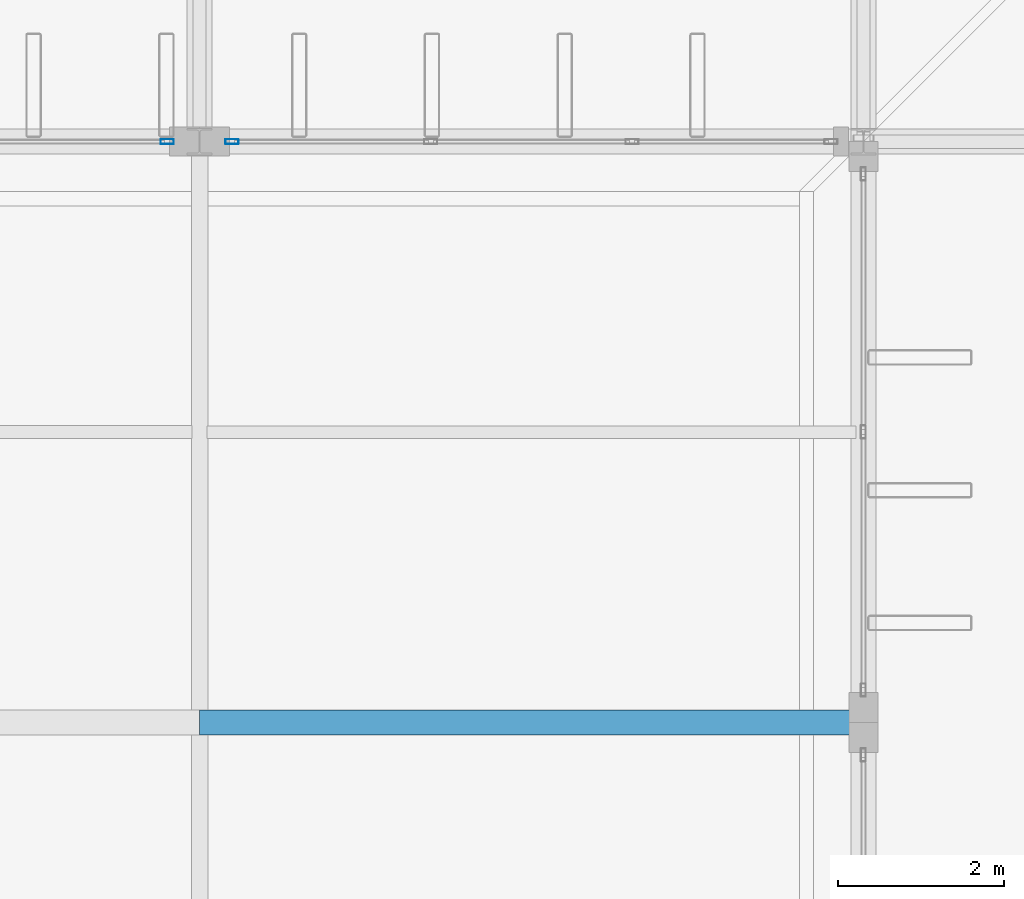
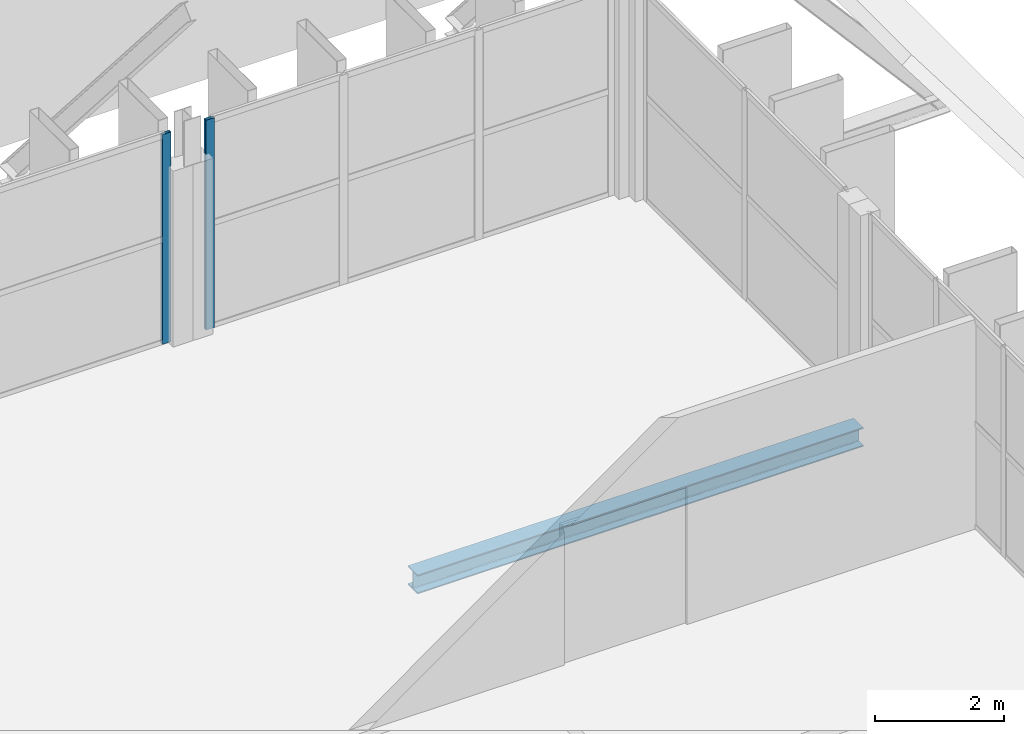
# One storey, part 57 of 93: 2 members, 1 beam, 2 elements without a shape of their own.
"""IFC4 building model written with IfcOpenShell, lengths in metres."""

import ifcopenshell
import ifcopenshell.guid

model = None  # the IFC model being written
_history = None  # IfcOwnerHistory: only IFC2X3 demands one
_inside = {}  # id of a spatial element -> (the spatial element, [elements in it])
_under = {}  # id of a project, library or spatial element -> (it, [spatial elements below it])
_declared = {}  # id of a project -> (the project, [libraries it declares])
_typed = {}  # id of a type object -> (the type object, [elements of that type])
_made_of = {}  # id of a material, layer set ... -> (it, [elements and type objects made of it])


def new_model(schema):
    """Start an empty IFC model of exactly this schema.

    Asked for "IFC4X3", IfcOpenShell would pick the latest addendum, in which some entities
    have other attributes; the version numbers below select the first issue.
    IFC2X3 requires an IfcOwnerHistory on every rooted entity: one is made here for all.
    """
    global model, _history
    if schema == "IFC4X3":
        model = ifcopenshell.file(schema_version=(4, 3, 0, 0))
    else:
        model = ifcopenshell.file(schema=schema)
    _inside.clear()
    _under.clear()
    _declared.clear()
    _typed.clear()
    _made_of.clear()
    _history = None
    if model.schema == "IFC2X3":
        org = make("IfcOrganization", Name="unknown")
        user = make(
            "IfcPersonAndOrganization",
            ThePerson=make("IfcPerson", FamilyName="unknown"),
            TheOrganization=org,
        )
        app = make(
            "IfcApplication",
            ApplicationDeveloper=org,
            Version="unknown",
            ApplicationFullName="unknown",
            ApplicationIdentifier="unknown",
        )
        _history = make(
            "IfcOwnerHistory",
            OwningUser=user,
            OwningApplication=app,
            ChangeAction="ADDED",
            CreationDate=0,
        )
    return model


def make(cls, **values):
    """One entity of the class cls with the attributes given. An attribute that is None is left unset."""
    return model.create_entity(
        cls, **{name: value for name, value in values.items() if value is not None}
    )


def rooted(cls, **values):
    """An entity with a GlobalId (a new one), such as an element, a storey or a relation."""
    return make(cls, GlobalId=ifcopenshell.guid.new(), OwnerHistory=_history, **values)


def si_unit(unit_type, name, prefix=None):
    """IfcSIUnit, for example si_unit("LENGTHUNIT", "METRE", prefix="MILLI")."""
    return make("IfcSIUnit", UnitType=unit_type, Prefix=prefix, Name=name)


def assignment(units):
    """IfcUnitAssignment: the units of a project."""
    return None if units is None else make("IfcUnitAssignment", Units=units)


def point(xyz):
    """IfcCartesianPoint."""
    return None if xyz is None else make("IfcCartesianPoint", Coordinates=xyz)


def direction(xyz):
    """IfcDirection."""
    return None if xyz is None else make("IfcDirection", DirectionRatios=xyz)


def frame(location, z_axis=None, x_axis=None):
    """IfcAxis2Placement3D, a coordinate frame: its origin and axes. An axis left out is left unset."""
    return make(
        "IfcAxis2Placement3D",
        Location=point(location),
        Axis=direction(z_axis),
        RefDirection=direction(x_axis),
    )


def frame_2d(location, x_axis=None):
    """IfcAxis2Placement2D, a coordinate frame in the plane: its origin and x axis."""
    return make(
        "IfcAxis2Placement2D", Location=point(location), RefDirection=direction(x_axis)
    )


def origin():
    """The frame at (0, 0, 0) with its axes left unset."""
    return frame((0.0, 0.0, 0.0))


def origin_2d():
    """The frame at (0, 0) in the plane with its x axis left unset."""
    return frame_2d((0.0, 0.0))


def place(relative_to, where):
    """IfcLocalPlacement: puts the frame where relative to a parent placement (None: the world)."""
    return make(
        "IfcLocalPlacement", PlacementRelTo=relative_to, RelativePlacement=where
    )


def context(
    kind, dimensions, precision=None, world=None, true_north=None, identifier=None
):
    """IfcGeometricRepresentationContext, for example the 3D "Model" context."""
    return make(
        "IfcGeometricRepresentationContext",
        ContextIdentifier=identifier,
        ContextType=kind,
        CoordinateSpaceDimension=dimensions,
        Precision=precision,
        WorldCoordinateSystem=world,
        TrueNorth=true_north,
    )


def subcontext(parent, identifier, kind, view, scale=None):
    """IfcGeometricRepresentationSubContext, for example "Body" below "Model"."""
    return make(
        "IfcGeometricRepresentationSubContext",
        ContextIdentifier=identifier,
        ContextType=kind,
        ParentContext=parent,
        TargetScale=scale,
        TargetView=view,
    )


def project(units=None, contexts=None):
    """IfcProject with its units and contexts."""
    return rooted(
        "IfcProject",
        Name="project",
        RepresentationContexts=contexts,
        UnitsInContext=assignment(units),
    )


def spatial(cls, under=None, at=None, **own):
    """A site, building, storey or space (cls), placed at a placement, below another one or the project."""
    s = rooted(cls, ObjectPlacement=at, **own)
    if under is not None:
        _under.setdefault(under.id(), (under, []))[1].append(s)
    return s


def profile(cls, at=None, kind="AREA", **sizes):
    """A parametric profile (cls). Its sizes go by their IFC names, for example OverallWidth=200.0."""
    return make(cls, ProfileType=kind, Position=at, **sizes)


def hollow_rectangle(**sizes):
    """IfcRectangleHollowProfileDef."""
    return profile("IfcRectangleHollowProfileDef", **sizes)


def i_section(**sizes):
    """IfcIShapeProfileDef."""
    return profile("IfcIShapeProfileDef", **sizes)


def extrude(swept, where, along, depth):
    """IfcExtrudedAreaSolid: the profile swept, set in the frame where, extruded along a direction by depth."""
    return make(
        "IfcExtrudedAreaSolid",
        SweptArea=swept,
        Position=where,
        ExtrudedDirection=direction(along),
        Depth=depth,
    )


def shape(context_of_items, identifier, shape_type, items):
    """IfcShapeRepresentation: the items that make up one representation, for example the "Body"."""
    return make(
        "IfcShapeRepresentation",
        ContextOfItems=context_of_items,
        RepresentationIdentifier=identifier,
        RepresentationType=shape_type,
        Items=items,
    )


def material(Name=None, Category=None):
    """IfcMaterial."""
    return make("IfcMaterial", Name=Name, Category=Category)


def layer(
    of_material, thickness, ventilated=None, Name=None, Category=None, Priority=None
):
    """IfcMaterialLayer: one layer of a wall or slab, of a material (None: an air gap)."""
    return make(
        "IfcMaterialLayer",
        Material=of_material,
        LayerThickness=thickness,
        IsVentilated=ventilated,
        Name=Name,
        Category=Category,
        Priority=Priority,
    )


def layer_set(layers, Name=None):
    """IfcMaterialLayerSet."""
    return make("IfcMaterialLayerSet", MaterialLayers=layers, LayerSetName=Name)


def material_profile(
    of_material, cross_section, Name=None, Category=None, Priority=None
):
    """IfcMaterialProfile: a cross section and its material."""
    return make(
        "IfcMaterialProfile",
        Name=Name,
        Material=of_material,
        Profile=cross_section,
        Priority=Priority,
        Category=Category,
    )


def profile_set(profiles, Name=None, composite=None):
    """IfcMaterialProfileSet."""
    return make(
        "IfcMaterialProfileSet",
        Name=Name,
        MaterialProfiles=profiles,
        CompositeProfile=composite,
    )


def made_of(thing, what):
    """Note that an element or type object is made of a material, layer set ...; save() writes the relation."""
    if what is not None:
        _made_of.setdefault(what.id(), (what, []))[1].append(thing)
    return thing


def type_object(cls, material=None, **own):
    """A type object (cls), such as IfcWallType, which elements share."""
    return made_of(rooted(cls, **own), material)


def element(
    cls,
    number,
    at=None,
    inside=None,
    cuts=None,
    type_object=None,
    material=None,
    context=None,
    identifier="Body",
    shape_type=None,
    held_by="IfcProductDefinitionShape",
    body=None,
    shapes=None,
    **own,
):
    """One element of the class cls, such as IfcWall. Its Tag is "e" and its number.

    at: its placement. inside: the storey or other place that contains it. cuts: it is an
    opening in that element (IfcRelVoidsElement). A single representation is given by context,
    identifier, shape_type and body (its items); several are given by shapes. held_by: the class
    of the entity that holds the representations. save() writes the other relations.
    """
    e = rooted(cls, Tag="e%d" % number, ObjectPlacement=at, **own)
    if body is not None:
        shapes = [shape(context, identifier, shape_type, body)]
    if shapes is not None:
        e.Representation = make(held_by, Representations=shapes)
    if inside is not None:
        _inside.setdefault(inside.id(), (inside, []))[1].append(e)
    if cuts is not None:
        rooted(
            "IfcRelVoidsElement", RelatingBuildingElement=cuts, RelatedOpeningElement=e
        )
    if type_object is not None:
        _typed.setdefault(type_object.id(), (type_object, []))[1].append(e)
    return made_of(e, material)


def aggregate(whole, parts):
    """IfcRelAggregates: a whole, such as a stair, and the parts it consists of."""
    return rooted("IfcRelAggregates", RelatingObject=whole, RelatedObjects=parts)


def save(model, path):
    """Write the relations noted so far, then the file.

    IfcRelAggregates (storeys below a building ...), IfcRelContainedInSpatialStructure (elements
    in a storey), IfcRelDefinesByType, IfcRelAssociatesMaterial and IfcRelDeclares: one each for
    every whole, place, type object, material and project.
    """
    for whole, parts in _under.values():
        aggregate(whole, parts)
    for where, things in _inside.values():
        rooted(
            "IfcRelContainedInSpatialStructure",
            RelatedElements=things,
            RelatingStructure=where,
        )
    for kind, things in _typed.values():
        rooted("IfcRelDefinesByType", RelatedObjects=things, RelatingType=kind)
    for what, things in _made_of.values():
        rooted("IfcRelAssociatesMaterial", RelatedObjects=things, RelatingMaterial=what)
    for by, libraries in _declared.values():
        rooted("IfcRelDeclares", RelatingContext=by, RelatedDefinitions=libraries)
    model.write(path)


model = new_model("IFC4")

# Units and contexts
model_context = context("Model", 3, precision=1e-05, world=origin(), true_north=direction((0.0, 1.0)))
body_context = subcontext(model_context, "Body", "Model", "MODEL_VIEW")
ifc_project = project(units=[si_unit("LENGTHUNIT", "METRE"), si_unit("AREAUNIT", "SQUARE_METRE"), si_unit("VOLUMEUNIT", "CUBIC_METRE"), si_unit("PLANEANGLEUNIT", "RADIAN"), si_unit("MASSUNIT", "GRAM", prefix="KILO")], contexts=[model_context])

# Site, building, storey
site_placement = place(None, origin())
site = spatial("IfcSite", under=ifc_project, at=site_placement, CompositionType="ELEMENT")
building_placement = place(site_placement, origin())
building = spatial("IfcBuilding", under=site, at=building_placement, Name="Vekula Escarpment Museum", CompositionType="ELEMENT")
storey_placement = place(building_placement, frame((0.0, 0.0, 22.199951171875)))
storey = spatial("IfcBuildingStorey", under=building, at=storey_placement, Name="L05", CompositionType="ELEMENT", Elevation=22.199951171875)

# Beam
ifc_material_1 = material(Name="Steel S355", Category="steel")
ifc_material_profile_1 = material_profile(ifc_material_1, i_section(OverallWidth=0.300048828125, OverallDepth=0.360107421875, WebThickness=0.012451171875, FlangeThickness=0.0224609375, FilletRadius=0.027099609375, at=origin_2d()), Name="HEB 360")
ifc_profile_set_1 = profile_set([ifc_material_profile_1], Name="Steel S355")
beam_type = type_object("IfcBeamType", Name="BM-GIRD-HEB360", PredefinedType="BEAM", material=ifc_profile_set_1)
beam_placement = place(storey_placement, frame((118.0, 83.39990234375, -0.39990234375), z_axis=(1.0, 0.0, 0.0), x_axis=(0.0, 1.0, 0.0)))
element("IfcBeam", 1, at=beam_placement, inside=storey, type_object=beam_type, Name="Beam X L05 2042", PredefinedType="BEAM", context=body_context, shape_type="SweptSolid", body=[
    extrude(i_section(OverallWidth=0.300048828125, OverallDepth=0.360107421875, WebThickness=0.012451171875, FlangeThickness=0.0224609375, FilletRadius=0.027099609375, at=origin_2d()), origin(), (0.0, 0.0, 1.0), 8.0),
])

# Curtain wall, member
ifc_material_2 = material(Name="Aluminium thermally broken framing", Category="aluminium")
ifc_layer_1 = layer(ifc_material_2, 0.139892578125)
ifc_layer_set_1 = layer_set([ifc_layer_1], Name="Aluminium thermally broken framing")
curtain_wall_type_1 = type_object("IfcCurtainWallType", Name="CW-SYS-06", PredefinedType="NOTDEFINED", material=ifc_layer_set_1)
curtain_wall_1_placement = place(storey_placement, origin())
curtain_wall_1 = element("IfcCurtainWall", 2, at=curtain_wall_1_placement, inside=storey, type_object=curtain_wall_type_1, Name="Curtain Wall CW-L05-176", PredefinedType="NOTDEFINED")
ifc_material_3 = material(Name="Aluminium anodized mullion", Category="aluminium")
ifc_material_profile_2 = material_profile(ifc_material_3, hollow_rectangle(XDim=0.06005859375, YDim=0.159912109375, WallThickness=0.00390625, InnerFilletRadius=0.00390625, OuterFilletRadius=0.008056640625, at=origin_2d()), Name="ALU 160x60x4")
ifc_profile_set_2 = profile_set([ifc_material_profile_2], Name="Aluminium anodized mullion")
member_type = type_object("IfcMemberType", Name="CW-MUL-160", PredefinedType="MULLION", material=ifc_profile_set_2)
member_1_placement = place(storey_placement, frame((118.389892578125, 90.39990234375, 0.0), z_axis=(0.0, 0.0, 1.0), x_axis=(0.0, -1.0, 0.0)))
member_1 = element("IfcMember", 3, at=member_1_placement, type_object=member_type, Name="CW-06 mullion 4", PredefinedType="MULLION", context=body_context, shape_type="SweptSolid", body=[
    extrude(hollow_rectangle(XDim=0.06005859375, YDim=0.159912109375, WallThickness=0.00390625, InnerFilletRadius=0.00390625, OuterFilletRadius=0.008056640625, at=origin_2d()), origin(), (0.0, 0.0, 1.0), 3.97998046875),
])
aggregate(curtain_wall_1, [member_1])

ifc_material_4 = material(Name="Aluminium thermally broken framing", Category="aluminium")
ifc_layer_2 = layer(ifc_material_4, 0.179931640625)
ifc_layer_set_2 = layer_set([ifc_layer_2], Name="Aluminium thermally broken framing")
curtain_wall_type_2 = type_object("IfcCurtainWallType", Name="CW-SYS-07", PredefinedType="NOTDEFINED", material=ifc_layer_set_2)
curtain_wall_2_placement = place(storey_placement, origin())
curtain_wall_2 = element("IfcCurtainWall", 4, at=curtain_wall_2_placement, inside=storey, type_object=curtain_wall_type_2, Name="Curtain Wall CW-L05-177", PredefinedType="NOTDEFINED")
member_2_placement = place(storey_placement, frame((117.610107421875, 90.39990234375, 0.0), z_axis=(0.0, 0.0, 1.0), x_axis=(0.0, -1.0, 0.0)))
member_2 = element("IfcMember", 5, at=member_2_placement, type_object=member_type, Name="CW-07 mullion 1", PredefinedType="MULLION", context=body_context, shape_type="SweptSolid", body=[
    extrude(hollow_rectangle(XDim=0.06005859375, YDim=0.159912109375, WallThickness=0.00390625, InnerFilletRadius=0.00390625, OuterFilletRadius=0.008056640625, at=origin_2d()), origin(), (0.0, 0.0, 1.0), 3.97998046875),
])
aggregate(curtain_wall_2, [member_2])

save(model, "model.ifc")
